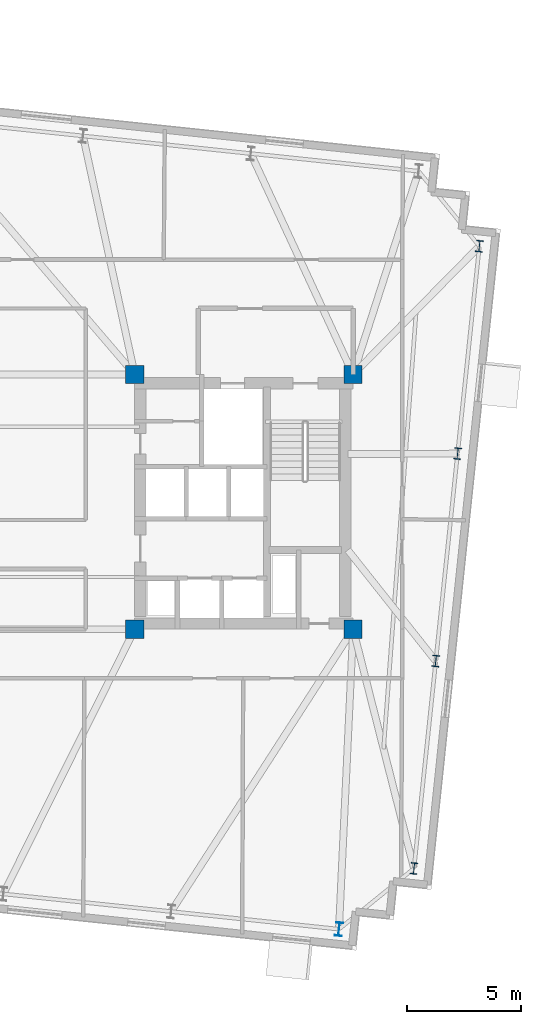
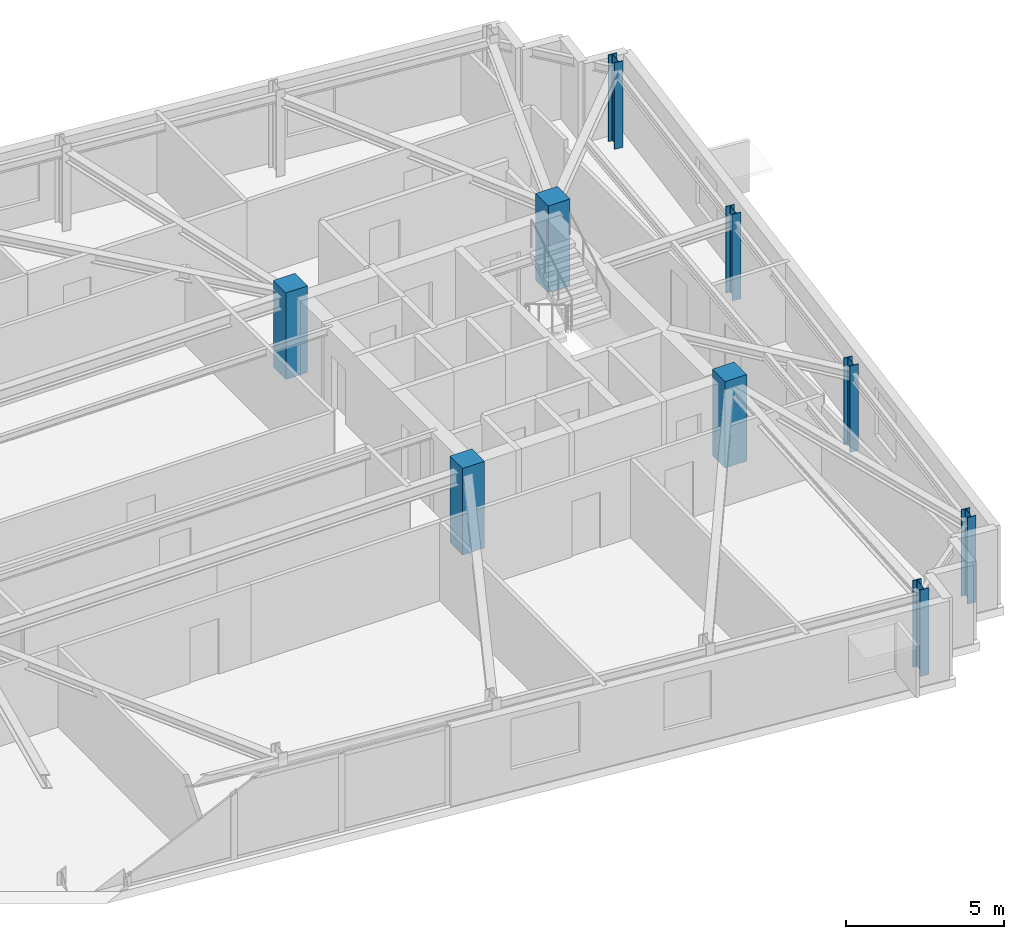
# One storey, part 2 of 13: 9 columns.
"""IFC4 building model written with IfcOpenShell, lengths in metres."""

from ifc_helpers import new_model, si_unit, direction, frame, origin, origin_2d, place, context, subcontext, project, spatial, rectangle, i_section, extrude, material, material_profile, profile_set, type_object, element, save


model = new_model("IFC4")

# Units and contexts
model_context = context("Model", 3, precision=1e-05, world=origin(), true_north=direction((0.0, 1.0)))
body_context = subcontext(model_context, "Body", "Model", "MODEL_VIEW")
ifc_project = project(units=[si_unit("LENGTHUNIT", "METRE"), si_unit("AREAUNIT", "SQUARE_METRE"), si_unit("VOLUMEUNIT", "CUBIC_METRE"), si_unit("PLANEANGLEUNIT", "RADIAN"), si_unit("MASSUNIT", "GRAM", prefix="KILO")], contexts=[model_context])

# Site, building, storey
site_placement = place(None, origin())
site = spatial("IfcSite", under=ifc_project, at=site_placement, CompositionType="ELEMENT")
building_placement = place(site_placement, origin())
building = spatial("IfcBuilding", under=site, at=building_placement, Name="Qobustan Lattice House", CompositionType="ELEMENT")
storey_placement = place(building_placement, frame((0.0, 0.0, 196.39990234375)))
storey = spatial("IfcBuildingStorey", under=building, at=storey_placement, Name="L55", CompositionType="ELEMENT", Elevation=196.39990234375)

# Columns
ifc_material_1 = material(Name="Concrete C50/60", Category="concrete")
ifc_material_profile_1 = material_profile(ifc_material_1, rectangle(XDim=0.800048828125, YDim=0.800048828125, at=origin_2d()), Name="RC800x800")
ifc_profile_set_1 = profile_set([ifc_material_profile_1], Name="Concrete C50/60")
column_type_1 = type_object("IfcColumnType", Name="COL-RC-800", PredefinedType="COLUMN", material=ifc_profile_set_1)
for number, where, z_axis, x_axis, name in (
    (1, (9.199951171875, -5.60009765625, 0.0), (0.0, 0.0, 1.0), (1.0, 0.0, 0.0), "L55 core mega-column CE-SW"),
    (2, (9.199951171875, 5.60009765625, 0.0), (0.0, 0.0, 1.0), (1.0, 0.0, 0.0), "L55 core mega-column CE-NW"),
    (3, (18.800048828125, -5.60009765625, 0.0), (0.0, 0.0, 1.0), (1.0, 0.0, 0.0), "L55 core mega-column CE-SE"),
    (4, (18.800048828125, 5.60009765625, 0.0), (0.0, 0.0, 1.0), (1.0, 0.0, 0.0), "L55 core mega-column CE-NE"),
):
    element("IfcColumn", number, at=place(storey_placement, frame(where, z_axis=z_axis, x_axis=x_axis)), inside=storey, type_object=column_type_1, Name=name, PredefinedType="COLUMN", context=body_context, shape_type="SweptSolid", body=[
        extrude(rectangle(XDim=0.800048828125, YDim=0.800048828125, at=origin_2d()), origin(), (0.0, 0.0, 1.0), 3.35009765625),
    ])
ifc_material_2 = material(Name="Steel S355", Category="steel")
ifc_material_profile_2 = material_profile(ifc_material_2, i_section(OverallWidth=0.300048828125, OverallDepth=0.5, WebThickness=0.014404296875, FlangeThickness=0.028076171875, FilletRadius=0.027099609375, at=origin_2d()), Name="HEB500")
ifc_profile_set_2 = profile_set([ifc_material_profile_2], Name="Steel S355")
column_type_2 = type_object("IfcColumnType", Name="COL-ST-HEB500", PredefinedType="COLUMN", material=ifc_profile_set_2)
for number, where, z_axis, x_axis, name in (
    (5, (21.474365234375, -16.114013671875, 0.0), (0.0, 0.0, 1.0), (0.994521895368, -0.104528463268, 0.0), "L55 B4 perimeter column E1"),
    (6, (22.4326171875, -6.99755859375, 0.0), (0.0, 0.0, 1.0), (0.994521895368, -0.104528463268, 0.0), "L55 B4 perimeter column E2"),
    (7, (23.390869140625, 2.118896484375, 0.0), (0.0, 0.0, 1.0), (0.994521895368, -0.104528463268, 0.0), "L55 B4 perimeter column E3"),
    (8, (24.348876953125, 11.2353515625, 0.0), (0.0, 0.0, 1.0), (0.994521895368, -0.104528463268, 0.0), "L55 B4 perimeter column E4"),
):
    element("IfcColumn", number, at=place(storey_placement, frame(where, z_axis=z_axis, x_axis=x_axis)), inside=storey, type_object=column_type_2, Name=name, PredefinedType="COLUMN", context=body_context, shape_type="SweptSolid", body=[
        extrude(i_section(OverallWidth=0.300048828125, OverallDepth=0.5, WebThickness=0.014404296875, FlangeThickness=0.028076171875, FilletRadius=0.027099609375, at=origin_2d()), origin(), (0.0, 0.0, 1.0), 3.35009765625),
    ])
ifc_material_3 = material(Name="Steel S355", Category="steel")
ifc_material_profile_3 = material_profile(ifc_material_3, i_section(OverallWidth=0.300048828125, OverallDepth=0.60009765625, WebThickness=0.015380859375, FlangeThickness=0.030029296875, FilletRadius=0.027099609375, at=origin_2d()), Name="HEB600")
ifc_profile_set_3 = profile_set([ifc_material_profile_3], Name="Steel S355")
column_type_3 = type_object("IfcColumnType", Name="COL-ST-HEB600", PredefinedType="COLUMN", material=ifc_profile_set_3)
column_placement = place(storey_placement, frame((18.17724609375, -18.783935546875, 0.0), z_axis=(0.0, 0.0, 1.0), x_axis=(0.994521895368, -0.104528463268, 0.0)))
element("IfcColumn", 9, at=column_placement, inside=storey, type_object=column_type_3, Name="L55 B4 perimeter column S7", PredefinedType="COLUMN", context=body_context, shape_type="SweptSolid", body=[
    extrude(i_section(OverallWidth=0.300048828125, OverallDepth=0.60009765625, WebThickness=0.015380859375, FlangeThickness=0.030029296875, FilletRadius=0.027099609375, at=origin_2d()), origin(), (0.0, 0.0, 1.0), 3.35009765625),
])

save(model, "model.ifc")
